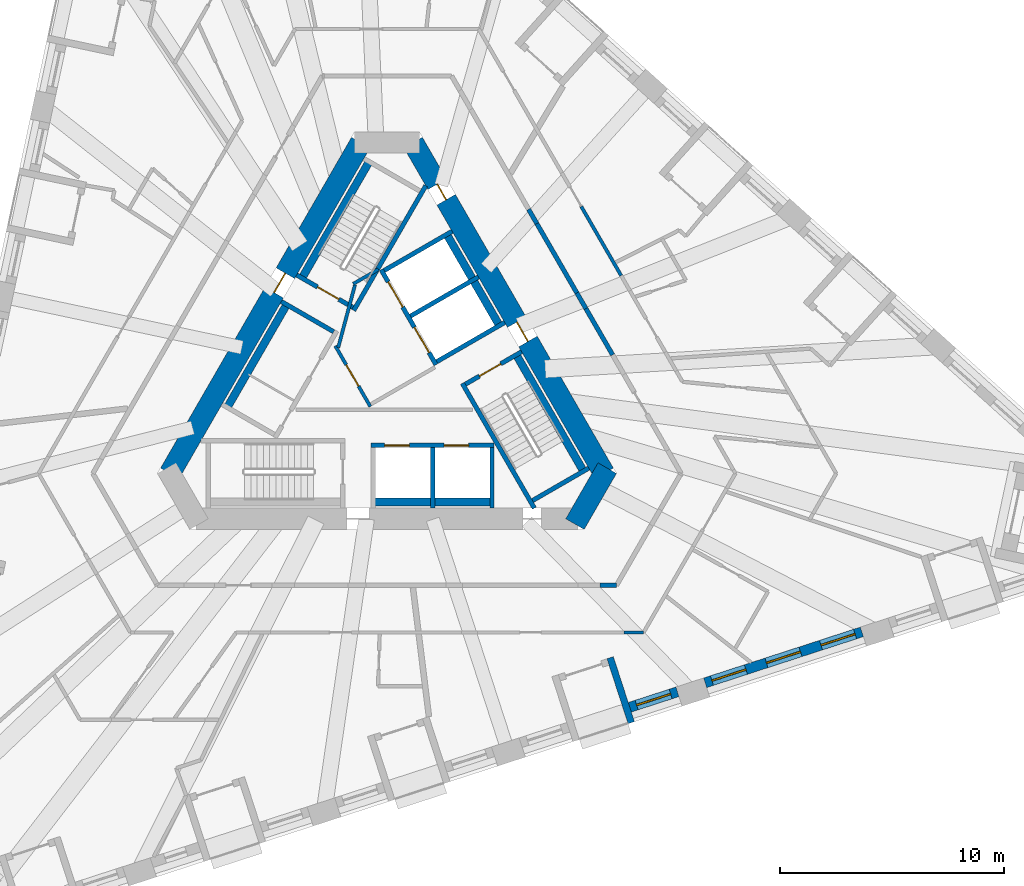
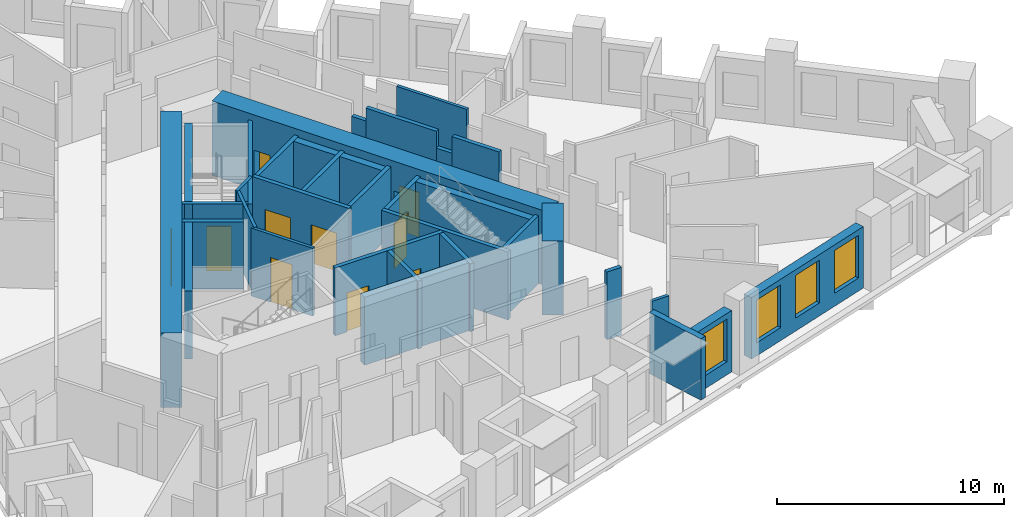
# One storey, part 5 of 13: 34 walls, 10 doors, 4 windows, 14 openings.
"""IFC4 building model written with IfcOpenShell, lengths in metres."""

from ifc_helpers import new_model, si_unit, direction, frame, frame_2d, origin, place, context, subcontext, project, spatial, rectangle, extrude, material, layer, layer_set, type_object, element, fill, save


model = new_model("IFC4")

# Units and contexts
model_context = context("Model", 3, precision=1e-05, world=origin(), true_north=direction((0.0, 1.0)))
body_context = subcontext(model_context, "Body", "Model", "MODEL_VIEW")
ifc_project = project(units=[si_unit("LENGTHUNIT", "METRE"), si_unit("AREAUNIT", "SQUARE_METRE"), si_unit("VOLUMEUNIT", "CUBIC_METRE"), si_unit("PLANEANGLEUNIT", "RADIAN"), si_unit("MASSUNIT", "GRAM", prefix="KILO")], contexts=[model_context])

# Site, building, storey
site_placement = place(None, origin())
site = spatial("IfcSite", under=ifc_project, at=site_placement, CompositionType="ELEMENT")
building_placement = place(site_placement, origin())
building = spatial("IfcBuilding", under=site, at=building_placement, Name="Tramontana Tower", CompositionType="ELEMENT")
storey_placement = place(building_placement, frame((0.0, 0.0, 100.39990234375)))
storey = spatial("IfcBuildingStorey", under=building, at=storey_placement, Name="L22", CompositionType="ELEMENT", Elevation=100.39990234375)

# Wall, opening, door
ifc_material_1 = material(Name="Concrete 70 MPa", Category="concrete")
ifc_layer_1 = layer(ifc_material_1, 0.949951171875)
ifc_layer_set_1 = layer_set([ifc_layer_1], Name="Core wall 950 70 MPa")
wall_type_1 = type_object("IfcWallType", Name="Core wall 950 70 MPa", PredefinedType="SHEAR", material=ifc_layer_set_1)
wall_1_placement = place(storey_placement, frame((-1.169189453125, 10.52490234375, 0.0), z_axis=(0.0, 0.0, 1.0), x_axis=(-0.499999102847, -0.866025921755, 0.0)))
wall_1 = element("IfcWall", 1, at=wall_1_placement, inside=storey, type_object=wall_type_1, Name="Core wall C1 L22", PredefinedType="SHEAR", context=body_context, shape_type="SweptSolid", body=[
    extrude(rectangle(XDim=17.060546875, YDim=0.949951171875, at=frame_2d((8.5302734375, 0.0))), origin(), (0.0, 0.0, 1.0), 4.0),
])
opening_1_placement = place(wall_1_placement, frame((6.7353515625, 0.0, 0.0)))
opening_1 = element("IfcOpeningElement", 2, at=opening_1_placement, cuts=wall_1, Name="Opening RG1", PredefinedType="OPENING", context=body_context, shape_type="SweptSolid", body=[
    extrude(rectangle(XDim=1.0, YDim=2.39990234375, at=frame_2d((0.5, 1.199951171875))), frame((0.0, 0.48486328125, 0.0), z_axis=(0.0, -1.0, 0.0), x_axis=(1.0, 0.0, 0.0)), (0.0, 0.0, 1.0), 0.969970703125),
])
ifc_material_2 = material(Name="Painted steel", Category="steel")
door_type_1 = type_object("IfcDoorType", Name="RING DOOR 1000", OperationType="SINGLE_SWING_LEFT", PredefinedType="DOOR", material=ifc_material_2)
door_1_placement = place(opening_1_placement, origin())
door_1 = element("IfcDoor", 3, at=door_1_placement, inside=storey, type_object=door_type_1, Name="Door RG1", OperationType="SINGLE_SWING_RIGHT", OverallHeight=2.39990234375, OverallWidth=1.0, PredefinedType="DOOR", context=body_context, shape_type="SweptSolid", body=[
    extrude(rectangle(XDim=1.0, YDim=2.39990234375, at=frame_2d((0.5, 1.199951171875))), frame((0.0, 0.02490234375, 0.0), z_axis=(0.0, -1.0, 0.0), x_axis=(1.0, 0.0, 0.0)), (0.0, 0.0, 1.0), 0.050048828125),
])
fill(opening_1, door_1)

# Wall
wall_2_placement = place(storey_placement, frame((8.393310546875, -6.512451171875, 0.0), z_axis=(0.0, 0.0, 1.0), x_axis=(0.499995765644, 0.866027848477, 0.0)))
element("IfcWall", 4, at=wall_2_placement, inside=storey, type_object=wall_type_1, Name="Core wall C4 L22", PredefinedType="SHEAR", context=body_context, shape_type="SweptSolid", body=[
    extrude(rectangle(XDim=2.88671875, YDim=0.949951171875, at=frame_2d((1.443359375, 0.0))), origin(), (0.0, 0.0, 1.0), 4.0),
])

# Wall, openings, doors
wall_3_placement = place(storey_placement, frame((9.699462890625, -4.25, 0.0), z_axis=(0.0, 0.0, 1.0), x_axis=(-0.499999102847, 0.866025921755, 0.0)))
wall_3 = element("IfcWall", 5, at=wall_3_placement, inside=storey, type_object=wall_type_1, Name="Core wall C5 L22", PredefinedType="SHEAR", context=body_context, shape_type="SweptSolid", body=[
    extrude(rectangle(XDim=17.060546875, YDim=0.949951171875, at=frame_2d((8.5302734375, 0.0))), origin(), (0.0, 0.0, 1.0), 4.0),
])
opening_2_placement = place(wall_3_placement, frame((6.805419921875, 0.0, 0.0)))
opening_2 = element("IfcOpeningElement", 6, at=opening_2_placement, cuts=wall_3, Name="Opening RG3", PredefinedType="OPENING", context=body_context, shape_type="SweptSolid", body=[
    extrude(rectangle(XDim=1.0, YDim=2.39990234375, at=frame_2d((0.5, 1.199951171875))), frame((0.0, 0.48486328125, 0.0), z_axis=(0.0, -1.0, 0.0), x_axis=(1.0, 0.0, 0.0)), (0.0, 0.0, 1.0), 0.969970703125),
])
opening_3_placement = place(wall_3_placement, frame((14.11376953125, 0.0, 0.0)))
opening_3 = element("IfcOpeningElement", 7, at=opening_3_placement, cuts=wall_3, Name="Opening PD3", PredefinedType="OPENING", context=body_context, shape_type="SweptSolid", body=[
    extrude(rectangle(XDim=0.800048828125, YDim=2.10009765625, at=frame_2d((0.39990234375, 1.050048828125))), frame((0.0, 0.48486328125, 0.0), z_axis=(0.0, -1.0, 0.0), x_axis=(1.0, 0.0, 0.0)), (0.0, 0.0, 1.0), 0.969970703125),
])
ifc_material_3 = material(Name="Painted steel", Category="steel")
door_type_2 = type_object("IfcDoorType", Name="CUPBOARD DOOR 800", OperationType="SINGLE_SWING_LEFT", PredefinedType="DOOR", material=ifc_material_3)
door_2_placement = place(opening_3_placement, origin())
door_2 = element("IfcDoor", 8, at=door_2_placement, inside=storey, type_object=door_type_2, Name="Door PD3", OperationType="SINGLE_SWING_RIGHT", OverallHeight=2.10009765625, OverallWidth=0.800048828125, PredefinedType="DOOR", context=body_context, shape_type="SweptSolid", body=[
    extrude(rectangle(XDim=0.800048828125, YDim=2.10009765625, at=frame_2d((0.39990234375, 1.050048828125))), frame((0.0, 0.02490234375, 0.0), z_axis=(0.0, -1.0, 0.0), x_axis=(1.0, 0.0, 0.0)), (0.0, 0.0, 1.0), 0.050048828125),
])
fill(opening_3, door_2)
door_3_placement = place(opening_2_placement, origin())
door_3 = element("IfcDoor", 9, at=door_3_placement, inside=storey, type_object=door_type_1, Name="Door RG3", OperationType="SINGLE_SWING_RIGHT", OverallHeight=2.39990234375, OverallWidth=1.0, PredefinedType="DOOR", context=body_context, shape_type="SweptSolid", body=[
    extrude(rectangle(XDim=1.0, YDim=2.39990234375, at=frame_2d((0.5, 1.199951171875))), frame((0.0, 0.02490234375, 0.0), z_axis=(0.0, -1.0, 0.0), x_axis=(1.0, 0.0, 0.0)), (0.0, 0.0, 1.0), 0.050048828125),
])
fill(opening_2, door_3)

# Walls
ifc_material_4 = material(Name="Blockwork", Category="masonry")
ifc_layer_2 = layer(ifc_material_4, 0.199951171875)
ifc_layer_set_2 = layer_set([ifc_layer_2], Name="ENTRY WALL 200")
wall_type_2 = type_object("IfcWallType", Name="ENTRY WALL 200", PredefinedType="SOLIDWALL", material=ifc_layer_set_2)
wall_4_placement = place(storey_placement, frame((6.323974609375, 7.546630859375, 0.0), z_axis=(0.0, 0.0, 1.0), x_axis=(0.499885169746, -0.866091690913, 0.0)))
element("IfcWall", 10, at=wall_4_placement, inside=storey, type_object=wall_type_2, Name="Wall v21-ew0-3", PredefinedType="SOLIDWALL", context=body_context, shape_type="SweptSolid", body=[
    extrude(rectangle(XDim=0.736083984375, YDim=0.199951171875, at=frame_2d((0.3681640625, 0.0))), origin(), (0.0, 0.0, 1.0), 2.9501953125),
])
wall_5_placement = place(storey_placement, frame((6.69189453125, 6.9091796875, 0.0), z_axis=(0.0, 0.0, 1.0), x_axis=(0.500029679218, -0.866008267802, 0.0)))
element("IfcWall", 11, at=wall_5_placement, inside=storey, type_object=wall_type_2, Name="Wall v21-ew0-4", PredefinedType="SOLIDWALL", context=body_context, shape_type="SweptSolid", body=[
    extrude(rectangle(XDim=3.576904296875, YDim=0.199951171875, at=frame_2d((1.78857421875, 0.0))), origin(), (0.0, 0.0, 1.0), 3.650146484375),
])
wall_6_placement = place(storey_placement, frame((8.48046875, 3.8115234375, 0.0), z_axis=(0.0, 0.0, 1.0), x_axis=(0.499809598504, -0.866135304236, 0.0)))
element("IfcWall", 12, at=wall_6_placement, inside=storey, type_object=wall_type_2, Name="Wall v21-ew0-5", PredefinedType="SOLIDWALL", context=body_context, shape_type="SweptSolid", body=[
    extrude(rectangle(XDim=0.808349609375, YDim=0.199951171875, at=frame_2d((0.404296875, 0.0))), origin(), (0.0, 0.0, 1.0), 2.75),
])
wall_7_placement = place(storey_placement, frame((8.884521484375, 3.111328125, 0.0), z_axis=(0.0, 0.0, 1.0), x_axis=(0.500035462246, -0.866004928679, 0.0)))
element("IfcWall", 13, at=wall_7_placement, inside=storey, type_object=wall_type_2, Name="Wall v21-ew0-6", PredefinedType="SOLIDWALL", context=body_context, shape_type="SweptSolid", body=[
    extrude(rectangle(XDim=2.385498046875, YDim=0.199951171875, at=frame_2d((1.19287109375, 0.0))), origin(), (0.0, 0.0, 1.0), 3.650146484375),
])
wall_8_placement = place(storey_placement, frame((10.248046875, -9.25, 0.0), z_axis=(0.0, 0.0, 1.0), x_axis=(-1.0, 0.0, 0.0)))
element("IfcWall", 14, at=wall_8_placement, inside=storey, type_object=wall_type_2, Name="Wall v21-ew2-0", PredefinedType="SOLIDWALL", context=body_context, shape_type="SweptSolid", body=[
    extrude(rectangle(XDim=0.74365234375, YDim=0.199951171875, at=frame_2d((0.371826171875, 0.0))), origin(), (0.0, 0.0, 1.0), 3.650146484375),
])

# Wall, opening, window
ifc_material_5 = material(Name="Precast concrete 60 MPa", Category="concrete")
ifc_layer_3 = layer(ifc_material_5, 0.449951171875)
ifc_layer_set_3 = layer_set([ifc_layer_3], Name="Precast concrete 60 MPa, 450 mm")
wall_type_3 = type_object("IfcWallType", Name="EW1 Stone-faced precast wall 450", PredefinedType="SOLIDWALL", material=ifc_layer_set_3)
wall_9_placement = place(storey_placement, frame((10.8447265625, -14.69287109375, 0.0), z_axis=(0.0, 0.0, 1.0), x_axis=(0.951057328329, 0.30901449518, 0.0)))
wall_9 = element("IfcWall", 15, at=wall_9_placement, inside=storey, type_object=wall_type_3, Name="External wall L22 face 1 bay 4", PredefinedType="SOLIDWALL", context=body_context, shape_type="SweptSolid", body=[
    extrude(rectangle(XDim=2.236572265625, YDim=0.449951171875, at=frame_2d((1.1181640625, 0.0))), origin(), (0.0, 0.0, 1.0), 3.300048828125),
])
opening_4_placement = place(wall_9_placement, frame((0.318359375, 0.0, 0.699951171875)))
opening_4 = element("IfcOpeningElement", 16, at=opening_4_placement, cuts=wall_9, Name="Opening M1", PredefinedType="OPENING", context=body_context, shape_type="SweptSolid", body=[
    extrude(rectangle(XDim=1.60009765625, YDim=2.300048828125, at=frame_2d((0.800048828125, 1.14990234375))), frame((0.0, 0.23486328125, 0.0), z_axis=(0.0, -1.0, 0.0), x_axis=(1.0, 0.0, 0.0)), (0.0, 0.0, 1.0), 0.469970703125),
])
ifc_material_6 = material(Name="Aluminum frame, double glazing unit", Category="aluminium")
window_type = type_object("IfcWindowType", Name="M1 Window 1.6 x 2.3", PartitioningType="SINGLE_PANEL", PredefinedType="WINDOW", material=ifc_material_6)
window_1_placement = place(opening_4_placement, origin())
window_1 = element("IfcWindow", 17, at=window_1_placement, inside=storey, type_object=window_type, Name="Window M1 L22 face 1 module 12", OverallHeight=2.300048828125, OverallWidth=1.60009765625, PartitioningType="SINGLE_PANEL", PredefinedType="WINDOW", context=body_context, shape_type="SweptSolid", body=[
    extrude(rectangle(XDim=1.60009765625, YDim=2.300048828125, at=frame_2d((0.800048828125, 1.14990234375))), frame((0.0, 0.030029296875, 0.0), z_axis=(0.0, -1.0, 0.0), x_axis=(1.0, 0.0, 0.0)), (0.0, 0.0, 1.0), 0.06005859375),
])
fill(opening_4, window_1)

# Wall, openings, windows
wall_10_placement = place(storey_placement, frame((14.208251953125, -13.60009765625, 0.0), z_axis=(0.0, 0.0, 1.0), x_axis=(0.951057467065, 0.309014068191, 0.0)))
wall_10 = element("IfcWall", 18, at=wall_10_placement, inside=storey, type_object=wall_type_3, Name="External wall L22 face 1 bay 5", PredefinedType="SOLIDWALL", context=body_context, shape_type="SweptSolid", body=[
    extrude(rectangle(XDim=7.360107421875, YDim=0.449951171875, at=frame_2d((3.68017578125, 0.0))), origin(), (0.0, 0.0, 1.0), 3.300048828125),
])
opening_5_placement = place(wall_10_placement, frame((0.318359375, 0.0, 0.699951171875)))
opening_5 = element("IfcOpeningElement", 19, at=opening_5_placement, cuts=wall_10, Name="Opening M1", PredefinedType="OPENING", context=body_context, shape_type="SweptSolid", body=[
    extrude(rectangle(XDim=1.60009765625, YDim=2.300048828125, at=frame_2d((0.800048828125, 1.14990234375))), frame((0.0, 0.23486328125, 0.0), z_axis=(0.0, -1.0, 0.0), x_axis=(1.0, 0.0, 0.0)), (0.0, 0.0, 1.0), 0.469970703125),
])
opening_6_placement = place(wall_10_placement, frame((2.880126953125, 0.0, 0.699951171875)))
opening_6 = element("IfcOpeningElement", 20, at=opening_6_placement, cuts=wall_10, Name="Opening M1", PredefinedType="OPENING", context=body_context, shape_type="SweptSolid", body=[
    extrude(rectangle(XDim=1.60009765625, YDim=2.300048828125, at=frame_2d((0.800048828125, 1.14990234375))), frame((0.0, 0.23486328125, 0.0), z_axis=(0.0, -1.0, 0.0), x_axis=(1.0, 0.0, 0.0)), (0.0, 0.0, 1.0), 0.469970703125),
])
opening_7_placement = place(wall_10_placement, frame((5.44189453125, 0.0, 0.699951171875)))
opening_7 = element("IfcOpeningElement", 21, at=opening_7_placement, cuts=wall_10, Name="Opening M1", PredefinedType="OPENING", context=body_context, shape_type="SweptSolid", body=[
    extrude(rectangle(XDim=1.60009765625, YDim=2.300048828125, at=frame_2d((0.800048828125, 1.14990234375))), frame((0.0, 0.23486328125, 0.0), z_axis=(0.0, -1.0, 0.0), x_axis=(1.0, 0.0, 0.0)), (0.0, 0.0, 1.0), 0.469970703125),
])
window_2_placement = place(opening_5_placement, origin())
window_2 = element("IfcWindow", 22, at=window_2_placement, inside=storey, type_object=window_type, Name="Window M1 L22 face 1 module 13", OverallHeight=2.300048828125, OverallWidth=1.60009765625, PartitioningType="SINGLE_PANEL", PredefinedType="WINDOW", context=body_context, shape_type="SweptSolid", body=[
    extrude(rectangle(XDim=1.60009765625, YDim=2.300048828125, at=frame_2d((0.800048828125, 1.14990234375))), frame((0.0, 0.030029296875, 0.0), z_axis=(0.0, -1.0, 0.0), x_axis=(1.0, 0.0, 0.0)), (0.0, 0.0, 1.0), 0.06005859375),
])
fill(opening_5, window_2)
window_3_placement = place(opening_6_placement, origin())
window_3 = element("IfcWindow", 23, at=window_3_placement, inside=storey, type_object=window_type, Name="Window M1 L22 face 1 module 14", OverallHeight=2.300048828125, OverallWidth=1.60009765625, PartitioningType="SINGLE_PANEL", PredefinedType="WINDOW", context=body_context, shape_type="SweptSolid", body=[
    extrude(rectangle(XDim=1.60009765625, YDim=2.300048828125, at=frame_2d((0.800048828125, 1.14990234375))), frame((0.0, 0.030029296875, 0.0), z_axis=(0.0, -1.0, 0.0), x_axis=(1.0, 0.0, 0.0)), (0.0, 0.0, 1.0), 0.06005859375),
])
fill(opening_6, window_3)
window_4_placement = place(opening_7_placement, origin())
window_4 = element("IfcWindow", 24, at=window_4_placement, inside=storey, type_object=window_type, Name="Window M1 L22 face 1 module 15", OverallHeight=2.300048828125, OverallWidth=1.60009765625, PartitioningType="SINGLE_PANEL", PredefinedType="WINDOW", context=body_context, shape_type="SweptSolid", body=[
    extrude(rectangle(XDim=1.60009765625, YDim=2.300048828125, at=frame_2d((0.800048828125, 1.14990234375))), frame((0.0, 0.030029296875, 0.0), z_axis=(0.0, -1.0, 0.0), x_axis=(1.0, 0.0, 0.0)), (0.0, 0.0, 1.0), 0.06005859375),
])
fill(opening_7, window_4)

# Wall
ifc_material_7 = material(Name="Precast concrete 60 MPa", Category="concrete")
ifc_layer_4 = layer(ifc_material_7, 0.300048828125)
ifc_layer_set_4 = layer_set([ifc_layer_4], Name="LW1 Stone-faced loggia wall 300")
wall_type_4 = type_object("IfcWallType", Name="LW1 Stone-faced loggia wall 300", PredefinedType="SOLIDWALL", material=ifc_layer_set_4)
wall_11_placement = place(storey_placement, frame((10.91064453125, -15.38134765625, 0.0), z_axis=(0.0, 0.0, 1.0), x_axis=(-0.309039015525, 0.951049360908, 0.0)))
element("IfcWall", 25, at=wall_11_placement, inside=storey, type_object=wall_type_4, Name="Loggia return L22 G2S1.10b", PredefinedType="SOLIDWALL", context=body_context, shape_type="SweptSolid", body=[
    extrude(rectangle(XDim=3.05029296875, YDim=0.300048828125, at=frame_2d((1.525146484375, 0.0))), origin(), (0.0, 0.0, 1.0), 3.300048828125),
])

# Wall, opening, door
ifc_material_8 = material(Name="Gypsum board partition")
ifc_layer_5 = layer(ifc_material_8, 0.14990234375)
ifc_layer_set_5 = layer_set([ifc_layer_5], Name="PARTITION 150")
wall_type_5 = type_object("IfcWallType", Name="PARTITION 150", PredefinedType="PARTITIONING", material=ifc_layer_set_5)
wall_12_placement = place(storey_placement, frame((-0.744140625, -1.260986328125, 0.0), z_axis=(0.0, 0.0, 1.0), x_axis=(-0.500004234368, 0.866022959057, 0.0)))
wall_12 = element("IfcWall", 26, at=wall_12_placement, inside=storey, type_object=wall_type_5, Name="Wall ff-front", PredefinedType="PARTITIONING", context=body_context, shape_type="SweptSolid", body=[
    extrude(rectangle(XDim=3.125, YDim=0.14990234375, at=frame_2d((1.5625, 0.0))), origin(), (0.0, 0.0, 1.0), 3.650146484375),
])
opening_8_placement = place(wall_12_placement, frame((1.050048828125, 0.0, 0.0)))
opening_8 = element("IfcOpeningElement", 27, at=opening_8_placement, cuts=wall_12, Name="Opening FD1", PredefinedType="OPENING", context=body_context, shape_type="SweptSolid", body=[
    extrude(rectangle(XDim=1.10009765625, YDim=2.39990234375, at=frame_2d((0.550048828125, 1.199951171875))), frame((0.0, 0.0849609375, 0.0), z_axis=(0.0, -1.0, 0.0), x_axis=(1.0, 0.0, 0.0)), (0.0, 0.0, 1.0), 0.169921875),
])
ifc_material_9 = material(Name="Painted timber", Category="wood")
door_type_3 = type_object("IfcDoorType", Name="DOOR ENTRY 1100", OperationType="SINGLE_SWING_LEFT", PredefinedType="DOOR", material=ifc_material_9)
door_4_placement = place(opening_8_placement, origin())
door_4 = element("IfcDoor", 28, at=door_4_placement, inside=storey, type_object=door_type_3, Name="Door FD1", OperationType="SINGLE_SWING_LEFT", OverallHeight=2.39990234375, OverallWidth=1.10009765625, PredefinedType="DOOR", context=body_context, shape_type="SweptSolid", body=[
    extrude(rectangle(XDim=1.10009765625, YDim=2.39990234375, at=frame_2d((0.550048828125, 1.199951171875))), frame((0.0, 0.02490234375, 0.0), z_axis=(0.0, -1.0, 0.0), x_axis=(1.0, 0.0, 0.0)), (0.0, 0.0, 1.0), 0.050048828125),
])
fill(opening_8, door_4)

# Walls
wall_13_placement = place(storey_placement, frame((-2.177978515625, 1.372314453125, 0.0), z_axis=(0.0, 0.0, 1.0), x_axis=(0.258808958833, 0.96592852884, 0.0)))
element("IfcWall", 29, at=wall_13_placement, inside=storey, type_object=wall_type_5, Name="Wall ff-diag", PredefinedType="PARTITIONING", context=body_context, shape_type="SweptSolid", body=[
    extrude(rectangle(XDim=2.902587890625, YDim=0.14990234375, at=frame_2d((1.451171875, 0.0))), origin(), (0.0, 0.0, 1.0), 3.650146484375),
])
wall_14_placement = place(storey_placement, frame((-1.509765625, 4.21484375, 0.0), z_axis=(0.0, 0.0, 1.0), x_axis=(0.866085525409, 0.49989585183, 0.0)))
element("IfcWall", 30, at=wall_14_placement, inside=storey, type_object=wall_type_5, Name="Wall ff-end1", PredefinedType="PARTITIONING", context=body_context, shape_type="SweptSolid", body=[
    extrude(rectangle(XDim=1.300048828125, YDim=0.14990234375, at=frame_2d((0.64990234375, 0.0))), origin(), (0.0, 0.0, 1.0), 3.650146484375),
])
wall_15_placement = place(storey_placement, frame((8.678955078125, 7.667724609375, 0.0), z_axis=(0.0, 0.0, 1.0), x_axis=(0.500013496215, -0.866017611601, 0.0)))
element("IfcWall", 31, at=wall_15_placement, inside=storey, type_object=wall_type_5, Name="Wall v21-pw40-3", PredefinedType="PARTITIONING", context=body_context, shape_type="SweptSolid", body=[
    extrude(rectangle(XDim=3.55810546875, YDim=0.14990234375, at=frame_2d((1.779052734375, 0.0))), origin(), (0.0, 0.0, 1.0), 3.650146484375),
])
wall_16_placement = place(storey_placement, frame((11.46044921875, -11.35009765625, 0.0), z_axis=(0.0, 0.0, 1.0), x_axis=(-1.0, 0.0, 0.0)))
element("IfcWall", 32, at=wall_16_placement, inside=storey, type_object=wall_type_5, Name="Wall v21-pw44-0", PredefinedType="PARTITIONING", context=body_context, shape_type="SweptSolid", body=[
    extrude(rectangle(XDim=0.869384765625, YDim=0.14990234375, at=frame_2d((0.4345703125, 0.0))), origin(), (0.0, 0.0, 1.0), 2.9501953125),
])
ifc_material_10 = material(Name="Concrete 70 MPa", Category="concrete")
ifc_layer_6 = layer(ifc_material_10, 0.35009765625)
ifc_layer_set_6 = layer_set([ifc_layer_6], Name="Concrete 70 MPa, 350 mm")
wall_type_6 = type_object("IfcWallType", Name="RC SHAFT BACK WALL 350", PredefinedType="SOLIDWALL", material=ifc_layer_set_6)
wall_17_placement = place(storey_placement, frame((-0.744873046875, 9.760009765625, 0.0), z_axis=(0.0, 0.0, 1.0), x_axis=(-0.49998037582, -0.866036733513, 0.0)))
element("IfcWall", 33, at=wall_17_placement, inside=storey, type_object=wall_type_6, Name="Wall st1-back", PredefinedType="SOLIDWALL", context=body_context, shape_type="SweptSolid", body=[
    extrude(rectangle(XDim=6.199951171875, YDim=0.35009765625, at=frame_2d((3.10009765625, 0.0))), origin(), (0.0, 0.0, 1.0), 3.650146484375),
])
wall_18_placement = place(storey_placement, frame((8.82470703125, -4.23486328125, 0.0), z_axis=(0.0, 0.0, 1.0), x_axis=(-0.499997426962, 0.866026889324, 0.0)))
element("IfcWall", 34, at=wall_18_placement, inside=storey, type_object=wall_type_6, Name="Wall st3-back", PredefinedType="SOLIDWALL", context=body_context, shape_type="SweptSolid", body=[
    extrude(rectangle(XDim=6.19970703125, YDim=0.35009765625, at=frame_2d((3.099853515625, 0.0))), origin(), (0.0, 0.0, 1.0), 3.650146484375),
])
for number, where, z_axis, x_axis, name in (
    (35, (-4.4296875, 3.37744140625, 0.0), (0.0, 0.0, 1.0), (-0.499996545922, -0.866027397988, 0.0), "Wall row0-back"),
    (36, (-0.7099609375, -5.52490234375, 0.0), (0.0, 0.0, 1.0), (1.0, 0.0, 0.0), "Wall row1-back"),
):
    element("IfcWall", number, at=place(storey_placement, frame(where, z_axis=z_axis, x_axis=x_axis)), inside=storey, type_object=wall_type_6, Name=name, PredefinedType="SOLIDWALL", context=body_context, shape_type="SweptSolid", body=[
        extrude(rectangle(XDim=5.5, YDim=0.35009765625, at=frame_2d((2.75, 0.0))), origin(), (0.0, 0.0, 1.0), 3.650146484375),
    ])
wall_19_placement = place(storey_placement, frame((5.06982421875, 2.268798828125, 0.0), z_axis=(0.0, 0.0, 1.0), x_axis=(-0.49998122708, 0.866036242063, 0.0)))
element("IfcWall", 37, at=wall_19_placement, inside=storey, type_object=wall_type_6, Name="Wall row2-back", PredefinedType="SOLIDWALL", context=body_context, shape_type="SweptSolid", body=[
    extrude(rectangle(XDim=4.900146484375, YDim=0.35009765625, at=frame_2d((2.4501953125, 0.0))), origin(), (0.0, 0.0, 1.0), 3.650146484375),
])
ifc_material_11 = material(Name="Concrete 70 MPa", Category="concrete")
ifc_layer_7 = layer(ifc_material_11, 0.199951171875)
ifc_layer_set_7 = layer_set([ifc_layer_7], Name="Concrete 70 MPa, 200 mm")
wall_type_7 = type_object("IfcWallType", Name="RC STAIR AND SHAFT WALL 200", PredefinedType="SOLIDWALL", material=ifc_layer_set_7)
wall_20_placement = place(storey_placement, frame((1.73193359375, 8.60009765625, 0.0), z_axis=(0.0, 0.0, 1.0), x_axis=(-0.499975376872, -0.866039619487, 0.0)))
element("IfcWall", 38, at=wall_20_placement, inside=storey, type_object=wall_type_7, Name="Wall st1-front", PredefinedType="SOLIDWALL", context=body_context, shape_type="SweptSolid", body=[
    extrude(rectangle(XDim=6.433837890625, YDim=0.199951171875, at=frame_2d((3.216796875, 0.0))), origin(), (0.0, 0.0, 1.0), 3.650146484375),
])

# Wall, opening, door
wall_21_placement = place(storey_placement, frame((-1.521484375, 3.164794921875, 0.0), z_axis=(0.0, 0.0, 1.0), x_axis=(-0.866032775405, 0.499987231761, 0.0)))
wall_21 = element("IfcWall", 39, at=wall_21_placement, inside=storey, type_object=wall_type_7, Name="Wall st1-near", PredefinedType="SOLIDWALL", context=body_context, shape_type="SweptSolid", body=[
    extrude(rectangle(XDim=2.89990234375, YDim=0.199951171875, at=frame_2d((1.449951171875, 0.0))), origin(), (0.0, 0.0, 1.0), 3.650146484375),
])
opening_9_placement = place(wall_21_placement, frame((0.72509765625, 0.0, 0.0)))
opening_9 = element("IfcOpeningElement", 40, at=opening_9_placement, cuts=wall_21, Name="Opening SD1", PredefinedType="OPENING", context=body_context, shape_type="SweptSolid", body=[
    extrude(rectangle(XDim=1.10009765625, YDim=2.39990234375, at=frame_2d((0.550048828125, 1.199951171875))), frame((0.0, 0.10986328125, 0.0), z_axis=(0.0, -1.0, 0.0), x_axis=(1.0, 0.0, 0.0)), (0.0, 0.0, 1.0), 0.219970703125),
])
ifc_material_12 = material(Name="Painted steel", Category="steel")
door_type_4 = type_object("IfcDoorType", Name="STAIR DOOR 1100", OperationType="SINGLE_SWING_LEFT", PredefinedType="DOOR", material=ifc_material_12)
door_5_placement = place(opening_9_placement, origin())
door_5 = element("IfcDoor", 41, at=door_5_placement, inside=storey, type_object=door_type_4, Name="Door SD1", OperationType="SINGLE_SWING_RIGHT", OverallHeight=2.39990234375, OverallWidth=1.10009765625, PredefinedType="DOOR", context=body_context, shape_type="SweptSolid", body=[
    extrude(rectangle(XDim=1.10009765625, YDim=2.39990234375, at=frame_2d((0.550048828125, 1.199951171875))), frame((0.0, 0.02490234375, 0.0), z_axis=(0.0, -1.0, 0.0), x_axis=(1.0, 0.0, 0.0)), (0.0, 0.0, 1.0), 0.050048828125),
])
fill(opening_9, door_5)

# Walls
wall_22_placement = place(storey_placement, frame((6.581787109375, -5.800048828125, 0.0), z_axis=(0.0, 0.0, 1.0), x_axis=(-0.499975376872, 0.866039619487, 0.0)))
element("IfcWall", 42, at=wall_22_placement, inside=storey, type_object=wall_type_7, Name="Wall st3-front", PredefinedType="SOLIDWALL", context=body_context, shape_type="SweptSolid", body=[
    extrude(rectangle(XDim=6.433837890625, YDim=0.199951171875, at=frame_2d((3.216796875, 0.0))), origin(), (0.0, 0.0, 1.0), 3.650146484375),
])
wall_23_placement = place(storey_placement, frame((6.50146484375, -5.4609375, 0.0), z_axis=(0.0, 0.0, 1.0), x_axis=(0.866032775405, 0.499987231761, 0.0)))
element("IfcWall", 43, at=wall_23_placement, inside=storey, type_object=wall_type_7, Name="Wall st3-far", PredefinedType="SOLIDWALL", context=body_context, shape_type="SweptSolid", body=[
    extrude(rectangle(XDim=2.89990234375, YDim=0.199951171875, at=frame_2d((1.449951171875, 0.0))), origin(), (0.0, 0.0, 1.0), 3.650146484375),
])

# Wall, opening, door
wall_24_placement = place(storey_placement, frame((3.50146484375, -0.2646484375, 0.0), z_axis=(0.0, 0.0, 1.0), x_axis=(0.866032775405, 0.499987231761, 0.0)))
wall_24 = element("IfcWall", 44, at=wall_24_placement, inside=storey, type_object=wall_type_7, Name="Wall st3-near", PredefinedType="SOLIDWALL", context=body_context, shape_type="SweptSolid", body=[
    extrude(rectangle(XDim=2.89990234375, YDim=0.199951171875, at=frame_2d((1.449951171875, 0.0))), origin(), (0.0, 0.0, 1.0), 3.650146484375),
])
opening_10_placement = place(wall_24_placement, frame((0.72509765625, 0.0, 0.0)))
opening_10 = element("IfcOpeningElement", 45, at=opening_10_placement, cuts=wall_24, Name="Opening SD3", PredefinedType="OPENING", context=body_context, shape_type="SweptSolid", body=[
    extrude(rectangle(XDim=1.10009765625, YDim=2.39990234375, at=frame_2d((0.550048828125, 1.199951171875))), frame((0.0, 0.10986328125, 0.0), z_axis=(0.0, -1.0, 0.0), x_axis=(1.0, 0.0, 0.0)), (0.0, 0.0, 1.0), 0.219970703125),
])
door_6_placement = place(opening_10_placement, origin())
door_6 = element("IfcDoor", 46, at=door_6_placement, inside=storey, type_object=door_type_4, Name="Door SD3", OperationType="SINGLE_SWING_RIGHT", OverallHeight=2.39990234375, OverallWidth=1.10009765625, PredefinedType="DOOR", context=body_context, shape_type="SweptSolid", body=[
    extrude(rectangle(XDim=1.10009765625, YDim=2.39990234375, at=frame_2d((0.550048828125, 1.199951171875))), frame((0.0, 0.02490234375, 0.0), z_axis=(0.0, -1.0, 0.0), x_axis=(1.0, 0.0, 0.0)), (0.0, 0.0, 1.0), 0.050048828125),
])
fill(opening_10, door_6)

# Wall
wall_25_placement = place(storey_placement, frame((-2.379638671875, 2.078369140625, 0.0), z_axis=(0.0, 0.0, 1.0), x_axis=(-0.866059108428, 0.4999416173, 0.0)))
element("IfcWall", 47, at=wall_25_placement, inside=storey, type_object=wall_type_7, Name="Wall row0-side0", PredefinedType="SOLIDWALL", context=body_context, shape_type="SweptSolid", body=[
    extrude(rectangle(XDim=2.699951171875, YDim=0.199951171875, at=frame_2d((1.35009765625, 0.0))), origin(), (0.0, 0.0, 1.0), 3.650146484375),
])

# Wall, openings, doors
wall_26_placement = place(storey_placement, frame((-0.7099609375, -3.0, 0.0), z_axis=(0.0, 0.0, 1.0), x_axis=(1.0, 0.0, 0.0)))
wall_26 = element("IfcWall", 48, at=wall_26_placement, inside=storey, type_object=wall_type_7, Name="Wall row1-front", PredefinedType="SOLIDWALL", context=body_context, shape_type="SweptSolid", body=[
    extrude(rectangle(XDim=5.5, YDim=0.199951171875, at=frame_2d((2.75, 0.0))), origin(), (0.0, 0.0, 1.0), 3.650146484375),
])
opening_11_placement = place(wall_26_placement, frame((0.610107421875, 0.0, 0.0)))
opening_11 = element("IfcOpeningElement", 49, at=opening_11_placement, cuts=wall_26, Name="Opening LD-S1", PredefinedType="OPENING", context=body_context, shape_type="SweptSolid", body=[
    extrude(rectangle(XDim=1.10009765625, YDim=2.10009765625, at=frame_2d((0.550048828125, 1.050048828125))), frame((0.0, 0.10986328125, 0.0), z_axis=(0.0, -1.0, 0.0), x_axis=(1.0, 0.0, 0.0)), (0.0, 0.0, 1.0), 0.219970703125),
])
opening_12_placement = place(wall_26_placement, frame((3.260009765625, 0.0, 0.0)))
opening_12 = element("IfcOpeningElement", 50, at=opening_12_placement, cuts=wall_26, Name="Opening LD-S2", PredefinedType="OPENING", context=body_context, shape_type="SweptSolid", body=[
    extrude(rectangle(XDim=1.10009765625, YDim=2.10009765625, at=frame_2d((0.550048828125, 1.050048828125))), frame((0.0, 0.10986328125, 0.0), z_axis=(0.0, -1.0, 0.0), x_axis=(1.0, 0.0, 0.0)), (0.0, 0.0, 1.0), 0.219970703125),
])
ifc_material_13 = material(Name="Brushed steel", Category="steel")
door_type_5 = type_object("IfcDoorType", Name="LANDING DOOR 1100", OperationType="SINGLE_SWING_LEFT", PredefinedType="DOOR", material=ifc_material_13)
door_7_placement = place(opening_11_placement, origin())
door_7 = element("IfcDoor", 51, at=door_7_placement, inside=storey, type_object=door_type_5, Name="Door LD-S1", OperationType="SLIDING_TO_LEFT", OverallHeight=2.10009765625, OverallWidth=1.10009765625, PredefinedType="DOOR", context=body_context, shape_type="SweptSolid", body=[
    extrude(rectangle(XDim=1.10009765625, YDim=2.10009765625, at=frame_2d((0.550048828125, 1.050048828125))), frame((0.0, 0.02490234375, 0.0), z_axis=(0.0, -1.0, 0.0), x_axis=(1.0, 0.0, 0.0)), (0.0, 0.0, 1.0), 0.050048828125),
])
fill(opening_11, door_7)
door_8_placement = place(opening_12_placement, origin())
door_8 = element("IfcDoor", 52, at=door_8_placement, inside=storey, type_object=door_type_5, Name="Door LD-S2", OperationType="SLIDING_TO_RIGHT", OverallHeight=2.10009765625, OverallWidth=1.10009765625, PredefinedType="DOOR", context=body_context, shape_type="SweptSolid", body=[
    extrude(rectangle(XDim=1.10009765625, YDim=2.10009765625, at=frame_2d((0.550048828125, 1.050048828125))), frame((0.0, 0.02490234375, 0.0), z_axis=(0.0, -1.0, 0.0), x_axis=(1.0, 0.0, 0.0)), (0.0, 0.0, 1.0), 0.050048828125),
])
fill(opening_12, door_8)

# Walls
for number, where, z_axis, x_axis, name in (
    (53, (2.0400390625, -3.10009765625, 0.0), (0.0, 0.0, 1.0), (0.0, -1.0, 0.0), "Wall row1-side1"),
    (54, (4.68994140625, -3.10009765625, 0.0), (0.0, 0.0, 1.0), (0.0, -1.0, 0.0), "Wall row1-side2"),
):
    element("IfcWall", number, at=place(storey_placement, frame(where, z_axis=z_axis, x_axis=x_axis)), inside=storey, type_object=wall_type_7, Name=name, PredefinedType="SOLIDWALL", context=body_context, shape_type="SweptSolid", body=[
        extrude(rectangle(XDim=2.699951171875, YDim=0.199951171875, at=frame_2d((1.35009765625, 0.0))), origin(), (0.0, 0.0, 1.0), 3.650146484375),
    ])

# Wall, openings, doors
wall_27_placement = place(storey_placement, frame((2.190185546875, 0.6064453125, 0.0), z_axis=(0.0, 0.0, 1.0), x_axis=(-0.500002801628, 0.866023786258, 0.0)))
wall_27 = element("IfcWall", 55, at=wall_27_placement, inside=storey, type_object=wall_type_7, Name="Wall row2-front", PredefinedType="SOLIDWALL", context=body_context, shape_type="SweptSolid", body=[
    extrude(rectangle(XDim=4.89990234375, YDim=0.199951171875, at=frame_2d((2.449951171875, 0.0))), origin(), (0.0, 0.0, 1.0), 3.650146484375),
])
opening_13_placement = place(wall_27_placement, frame((0.625, 0.0, 0.0)))
opening_13 = element("IfcOpeningElement", 56, at=opening_13_placement, cuts=wall_27, Name="Opening LD-F1", PredefinedType="OPENING", context=body_context, shape_type="SweptSolid", body=[
    extrude(rectangle(XDim=1.300048828125, YDim=2.10009765625, at=frame_2d((0.64990234375, 1.050048828125))), frame((0.0, 0.10986328125, 0.0), z_axis=(0.0, -1.0, 0.0), x_axis=(1.0, 0.0, 0.0)), (0.0, 0.0, 1.0), 0.219970703125),
])
opening_14_placement = place(wall_27_placement, frame((2.97509765625, 0.0, 0.0)))
opening_14 = element("IfcOpeningElement", 57, at=opening_14_placement, cuts=wall_27, Name="Opening LD-F2", PredefinedType="OPENING", context=body_context, shape_type="SweptSolid", body=[
    extrude(rectangle(XDim=1.300048828125, YDim=2.10009765625, at=frame_2d((0.64990234375, 1.050048828125))), frame((0.0, 0.10986328125, 0.0), z_axis=(0.0, -1.0, 0.0), x_axis=(1.0, 0.0, 0.0)), (0.0, 0.0, 1.0), 0.219970703125),
])
ifc_material_14 = material(Name="Brushed steel", Category="steel")
door_type_6 = type_object("IfcDoorType", Name="LANDING DOOR 1300", OperationType="SINGLE_SWING_LEFT", PredefinedType="DOOR", material=ifc_material_14)
door_9_placement = place(opening_13_placement, origin())
door_9 = element("IfcDoor", 58, at=door_9_placement, inside=storey, type_object=door_type_6, Name="Door LD-F1", OperationType="SLIDING_TO_LEFT", OverallHeight=2.10009765625, OverallWidth=1.300048828125, PredefinedType="DOOR", context=body_context, shape_type="SweptSolid", body=[
    extrude(rectangle(XDim=1.300048828125, YDim=2.10009765625, at=frame_2d((0.64990234375, 1.050048828125))), frame((0.0, 0.02490234375, 0.0), z_axis=(0.0, -1.0, 0.0), x_axis=(1.0, 0.0, 0.0)), (0.0, 0.0, 1.0), 0.050048828125),
])
fill(opening_13, door_9)
door_10_placement = place(opening_14_placement, origin())
door_10 = element("IfcDoor", 59, at=door_10_placement, inside=storey, type_object=door_type_6, Name="Door LD-F2", OperationType="SLIDING_TO_RIGHT", OverallHeight=2.10009765625, OverallWidth=1.300048828125, PredefinedType="DOOR", context=body_context, shape_type="SweptSolid", body=[
    extrude(rectangle(XDim=1.300048828125, YDim=2.10009765625, at=frame_2d((0.64990234375, 1.050048828125))), frame((0.0, 0.02490234375, 0.0), z_axis=(0.0, -1.0, 0.0), x_axis=(1.0, 0.0, 0.0)), (0.0, 0.0, 1.0), 0.050048828125),
])
fill(opening_14, door_10)

# Walls
for number, where, z_axis, x_axis, name in (
    (60, (2.226806640625, 0.742919921875, 0.0), (0.0, 0.0, 1.0), (0.866036909293, 0.499980071345, 0.0), "Wall row2-side0"),
    (61, (1.0517578125, 2.778076171875, 0.0), (0.0, 0.0, 1.0), (0.866036909293, 0.499980071345, 0.0), "Wall row2-side1"),
):
    element("IfcWall", number, at=place(storey_placement, frame(where, z_axis=z_axis, x_axis=x_axis)), inside=storey, type_object=wall_type_7, Name=name, PredefinedType="SOLIDWALL", context=body_context, shape_type="SweptSolid", body=[
        extrude(rectangle(XDim=3.500244140625, YDim=0.199951171875, at=frame_2d((1.75, 0.0))), origin(), (0.0, 0.0, 1.0), 3.650146484375),
    ])
wall_28_placement = place(storey_placement, frame((-0.123046875, 4.813232421875, 0.0), z_axis=(0.0, 0.0, 1.0), x_axis=(0.866019471182, 0.500010275428, 0.0)))
element("IfcWall", 62, at=wall_28_placement, inside=storey, type_object=wall_type_7, Name="Wall row2-side2", PredefinedType="SOLIDWALL", context=body_context, shape_type="SweptSolid", body=[
    extrude(rectangle(XDim=3.5, YDim=0.199951171875, at=frame_2d((1.75, 0.0))), origin(), (0.0, 0.0, 1.0), 3.650146484375),
])

save(model, "model.ifc")
